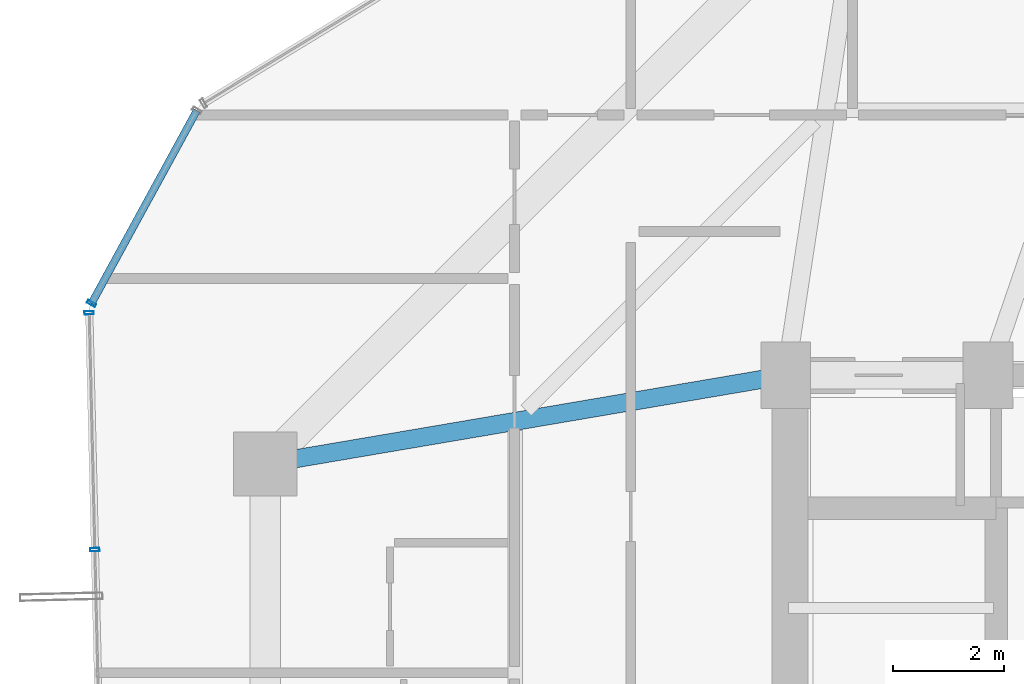
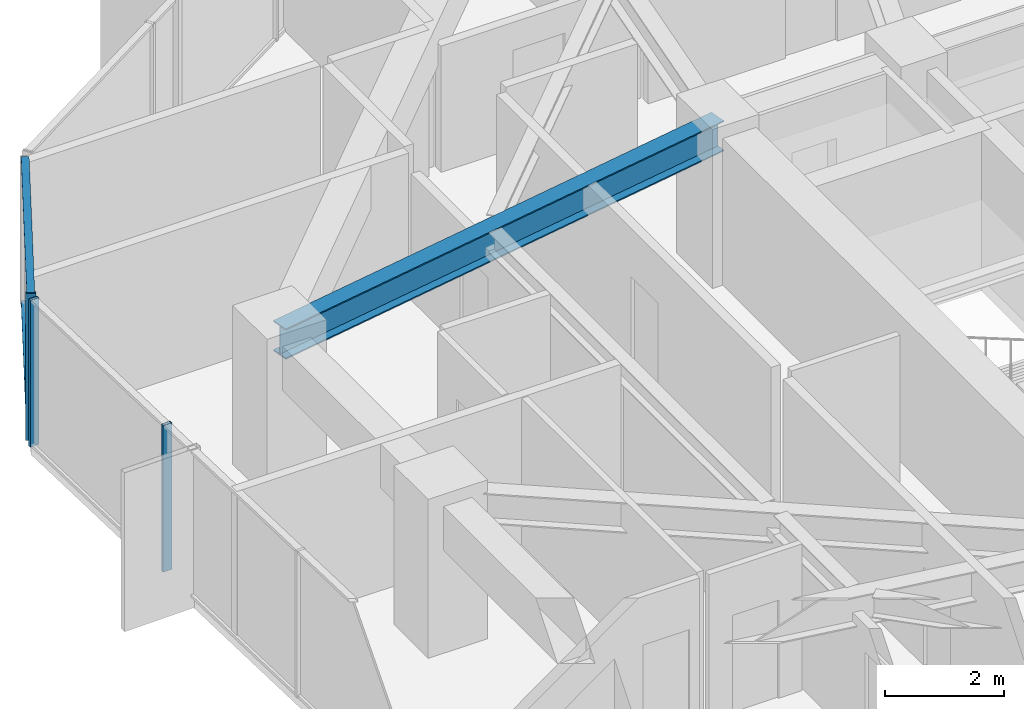
# One storey, part 11 of 31: 5 members, 1 beam, 2 elements without a shape of their own.
"""IFC4 building model written with IfcOpenShell, lengths in metres."""

from ifc_helpers import new_model, si_unit, direction, frame, origin, origin_2d, place, context, subcontext, project, spatial, hollow_rectangle, i_section, extrude, source, transform, mapped, material, layer, layer_set, material_profile, profile_set, type_object, element, aggregate, save


model = new_model("IFC4")

# Units and contexts
model_context = context("Model", 3, precision=1e-05, world=origin(), true_north=direction((0.0, 1.0)))
body_context = subcontext(model_context, "Body", "Model", "MODEL_VIEW")
ifc_project = project(units=[si_unit("LENGTHUNIT", "METRE"), si_unit("AREAUNIT", "SQUARE_METRE"), si_unit("VOLUMEUNIT", "CUBIC_METRE"), si_unit("PLANEANGLEUNIT", "RADIAN"), si_unit("MASSUNIT", "GRAM", prefix="KILO")], contexts=[model_context])

# Site, building, storey
site_placement = place(None, origin())
site = spatial("IfcSite", under=ifc_project, at=site_placement, CompositionType="ELEMENT")
building_placement = place(site_placement, origin())
building = spatial("IfcBuilding", under=site, at=building_placement, Name="Veraguas Prism Commons", CompositionType="ELEMENT")
storey_placement = place(building_placement, frame((0.0, 0.0, 132.75)))
storey = spatial("IfcBuildingStorey", under=building, at=storey_placement, Name="L37", CompositionType="ELEMENT", Elevation=132.75)

# Beam
ifc_material_1 = material(Name="Steel ASTM A992 Grade 50", Category="steel")
ifc_material_profile_1 = material_profile(ifc_material_1, i_section(OverallWidth=0.327880859375, OverallDepth=0.6220703125, WebThickness=0.015380859375, FlangeThickness=0.0244140625, at=origin_2d()), Name="W610X195")
ifc_profile_set_1 = profile_set([ifc_material_profile_1], Name="Steel ASTM A992 Grade 50")
beam_type = type_object("IfcBeamType", Name="Zone 2 Radial Girder W610x195", PredefinedType="BEAM", material=ifc_profile_set_1)
beam_placement = place(storey_placement, frame((7.800048828125, 29.39990234375, 2.68896484375), z_axis=(0.985819187151, 0.1678109956, 0.0), x_axis=(-0.1678109956, 0.985819187151, 0.0)))
element("IfcBeam", 1, at=beam_placement, inside=storey, type_object=beam_type, Name="Radial Floor Girder L37-RD07", PredefinedType="BEAM", context=body_context, shape_type="SweptSolid", body=[
    extrude(i_section(OverallWidth=0.327880859375, OverallDepth=0.6220703125, WebThickness=0.015380859375, FlangeThickness=0.0244140625, at=origin_2d()), origin(), (0.0, 0.0, 1.0), 9.53515625),
])

# Curtain wall, members
ifc_material_2 = material(Name="Anodised aluminium EN AW-6063 T6", Category="aluminium")
ifc_layer = layer(ifc_material_2, 0.169921875, Name="Unitised Flush Curtain Wall Zone 2", Category="aluminium")
ifc_layer_set = layer_set([ifc_layer], Name="Anodised aluminium EN AW-6063 T6")
curtain_wall_type = type_object("IfcCurtainWallType", Name="Unitised Flush Curtain Wall Zone 2", PredefinedType="NOTDEFINED", material=ifc_layer_set)
curtain_wall_1_placement = place(storey_placement, origin())
curtain_wall_1 = element("IfcCurtainWall", 2, at=curtain_wall_1_placement, inside=storey, type_object=curtain_wall_type, Name="Tower Facade Curtain Wall L37-F3", PredefinedType="NOTDEFINED")
ifc_material_profile_2 = material_profile(ifc_material_2, hollow_rectangle(XDim=0.06005859375, YDim=0.169921875, WallThickness=0.00390625, at=origin_2d()), Name="AL60X170X4")
ifc_profile_set_2 = profile_set([ifc_material_profile_2], Name="Anodised aluminium EN AW-6063 T6")
member_type_1 = type_object("IfcMemberType", Name="Curtain Wall Mullion Lower AL 60x170x4", PredefinedType="MULLION", material=ifc_profile_set_2)
shared_shape_1 = source(origin(), body_context, "Body", "SweptSolid", [
    extrude(hollow_rectangle(XDim=0.06005859375, YDim=0.169921875, WallThickness=0.00390625, at=origin_2d()), origin(), (0.0, 0.0, 1.0), 3.0),
])
member_1_placement = place(storey_placement, frame((4.619140625, 32.12939453125, 0.0), z_axis=(0.0, 0.0, 1.0), x_axis=(0.023737738629, -0.999718220182, 0.0)))
member_1 = element("IfcMember", 3, at=member_1_placement, type_object=member_type_1, Name="CW-Z2 Mullion 1", PredefinedType="MULLION", context=body_context, shape_type="MappedRepresentation", body=[
    mapped(shared_shape_1, transform((0.0, 0.0, 0.0), scale=1.0)),
])
member_2_placement = place(storey_placement, frame((4.720703125, 27.85205078125, 0.0), z_axis=(0.0, 0.0, 1.0), x_axis=(0.023737738629, -0.999718220182, 0.0)))
member_2 = element("IfcMember", 4, at=member_2_placement, type_object=member_type_1, Name="CW-Z2 Mullion 2", PredefinedType="MULLION", context=body_context, shape_type="MappedRepresentation", body=[
    mapped(shared_shape_1, transform((0.0, 0.0, 0.0), scale=1.0)),
])
aggregate(curtain_wall_1, [member_1, member_2])

curtain_wall_2_placement = place(storey_placement, origin())
curtain_wall_2 = element("IfcCurtainWall", 5, at=curtain_wall_2_placement, inside=storey, type_object=curtain_wall_type, Name="Chamfer Curtain Wall L37-C3", PredefinedType="NOTDEFINED")
member_3_placement = place(storey_placement, frame((4.66015625, 32.298583984375, 0.0), z_axis=(0.0, 0.0, 1.0), x_axis=(-0.479293966449, -0.877654427281, 0.0)))
member_3 = element("IfcMember", 6, at=member_3_placement, type_object=member_type_1, Name="CW-Z2 Mullion 2", PredefinedType="MULLION", context=body_context, shape_type="MappedRepresentation", body=[
    mapped(shared_shape_1, transform((0.0, 0.0, 0.0), scale=1.0)),
])
ifc_material_profile_3 = material_profile(ifc_material_2, hollow_rectangle(XDim=0.054931640625, YDim=0.135009765625, WallThickness=0.0029296875, at=origin_2d()), Name="AL55X135X3")
ifc_profile_set_3 = profile_set([ifc_material_profile_3], Name="Anodised aluminium EN AW-6063 T6")
member_type_2 = type_object("IfcMemberType", Name="Curtain Wall Transom Standard AL 55x135x3", PredefinedType="USERDEFINED", material=ifc_profile_set_3)
shared_shape_2 = source(origin(), body_context, "Body", "SweptSolid", [
    extrude(hollow_rectangle(XDim=0.054931640625, YDim=0.135009765625, WallThickness=0.0029296875, at=origin_2d()), origin(), (0.0, 0.0, 1.0), 3.972900390625),
])
member_4_placement = place(storey_placement, frame((6.564453125, 35.785400390625, 0.027587890625), z_axis=(-0.479317055068, -0.877641818011, 0.0), x_axis=(0.0, 0.0, 1.0)))
member_4 = element("IfcMember", 7, at=member_4_placement, type_object=member_type_2, Name="CW-Z2 Transom 1", ObjectType="TRANSOM", PredefinedType="USERDEFINED", context=body_context, shape_type="MappedRepresentation", body=[
    mapped(shared_shape_2, transform((0.0, 0.0, 0.0), scale=1.0)),
])
member_5_placement = place(storey_placement, frame((6.564453125, 35.785400390625, 2.972412109375), z_axis=(-0.479317055068, -0.877641818011, 0.0), x_axis=(0.0, 0.0, 1.0)))
member_5 = element("IfcMember", 8, at=member_5_placement, type_object=member_type_2, Name="CW-Z2 Transom 2", ObjectType="TRANSOM", PredefinedType="USERDEFINED", context=body_context, shape_type="MappedRepresentation", body=[
    mapped(shared_shape_2, transform((0.0, 0.0, 0.0), scale=1.0)),
])
aggregate(curtain_wall_2, [member_3, member_4, member_5])

save(model, "model.ifc")
